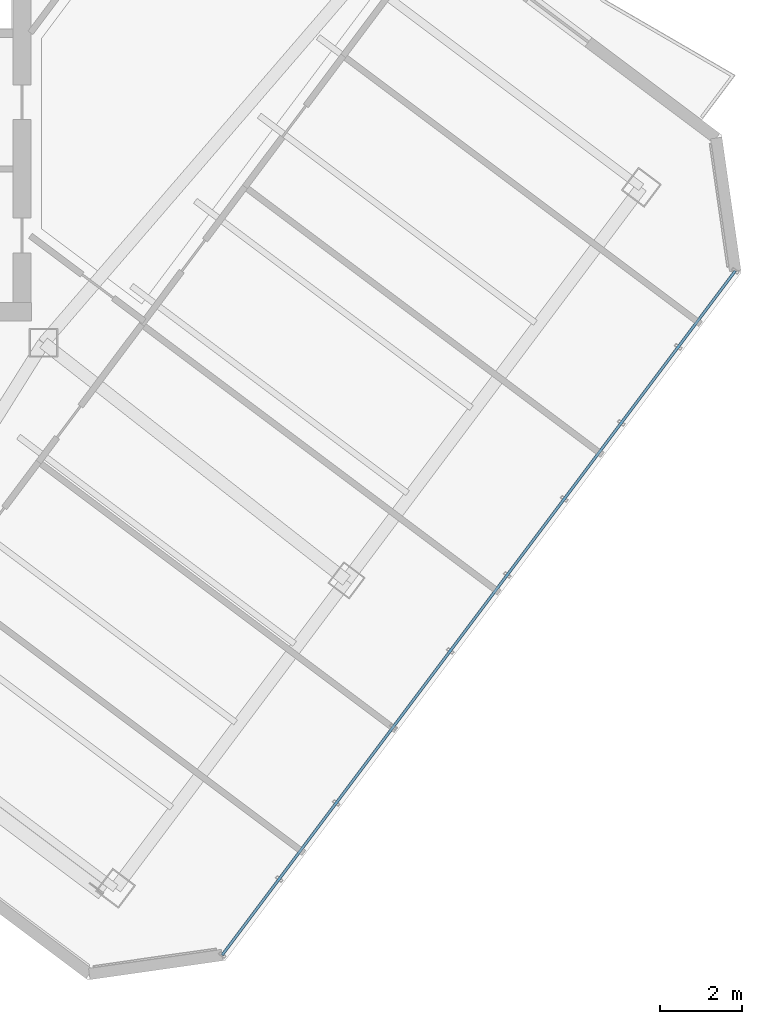
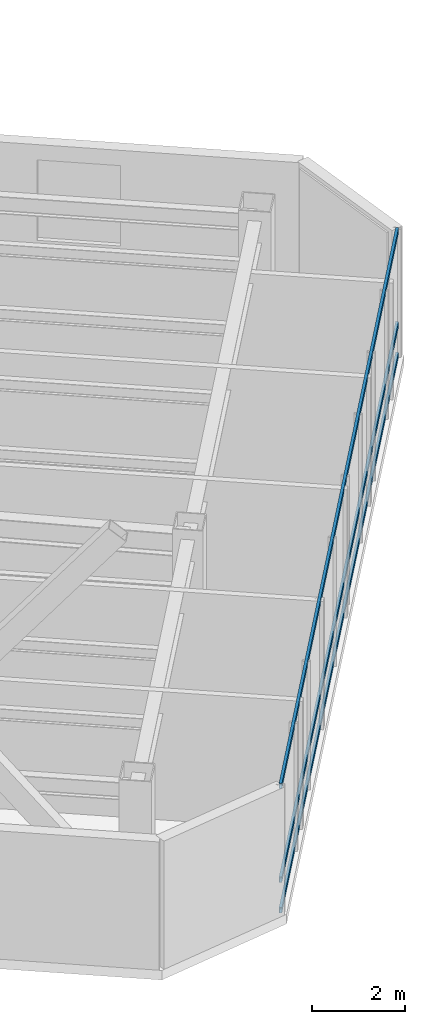
# One storey, part 12 of 25: 3 members, 1 element without a shape of its own.
"""IFC4 building model written with IfcOpenShell, lengths in metres."""

from ifc_helpers import new_model, si_unit, direction, frame, origin, origin_2d, place, context, subcontext, project, spatial, hollow_rectangle, extrude, material, layer, layer_set, material_profile, profile_set, type_object, element, aggregate, save


model = new_model("IFC4")

# Units and contexts
model_context = context("Model", 3, precision=1e-05, world=origin(), true_north=direction((0.0, 1.0)))
body_context = subcontext(model_context, "Body", "Model", "MODEL_VIEW")
ifc_project = project(units=[si_unit("LENGTHUNIT", "METRE"), si_unit("AREAUNIT", "SQUARE_METRE"), si_unit("VOLUMEUNIT", "CUBIC_METRE"), si_unit("PLANEANGLEUNIT", "RADIAN"), si_unit("MASSUNIT", "GRAM", prefix="KILO")], contexts=[model_context])

# Site, building, storey
site_placement = place(None, origin())
site = spatial("IfcSite", under=ifc_project, at=site_placement, CompositionType="ELEMENT")
building_placement = place(site_placement, origin())
building = spatial("IfcBuilding", under=site, at=building_placement, Name="Hatsunagi Terrace Concourse", CompositionType="ELEMENT")
storey_placement = place(building_placement, frame((0.0, 0.0, 223.949951171875)))
storey = spatial("IfcBuildingStorey", under=building, at=storey_placement, Name="L59", CompositionType="ELEMENT", Elevation=223.949951171875)

# Curtain wall, members
ifc_material_1 = material(Name="Anodised Aluminium Alloy 6063-T5", Category="aluminium")
ifc_layer = layer(ifc_material_1, 0.199951171875)
ifc_layer_set = layer_set([ifc_layer], Name="OfficeZone2_CW04")
curtain_wall_type = type_object("IfcCurtainWallType", Name="OfficeZone2_CW04", PredefinedType="NOTDEFINED", material=ifc_layer_set)
curtain_wall_placement = place(storey_placement, origin())
curtain_wall = element("IfcCurtainWall", 1, at=curtain_wall_placement, inside=storey, type_object=curtain_wall_type, Name="Unitised Curtain Wall CW-04 CW-L59-03", PredefinedType="NOTDEFINED")
ifc_material_2 = material(Name="Anodised Aluminium Alloy 6063-T5", Category="aluminium")
ifc_material_profile = material_profile(ifc_material_2, hollow_rectangle(XDim=0.06494140625, YDim=0.139892578125, WallThickness=0.00390625, at=origin_2d()), Name="ALU-TRN-140x65x4")
ifc_profile_set = profile_set([ifc_material_profile], Name="Anodised Aluminium Alloy 6063-T5")
member_type = type_object("IfcMemberType", Name="CurtainWallTransom_140x65", PredefinedType="USERDEFINED", material=ifc_profile_set)
member_1_placement = place(storey_placement, frame((60.693115234375, 25.9580078125, 0.050048828125), z_axis=(-0.599970072971, -0.800022444397, 0.0), x_axis=(0.800022444397, -0.599970072971, 0.0)))
member_1 = element("IfcMember", 2, at=member_1_placement, type_object=member_type, Name="Curtain Wall Transom TRN-02", ObjectType="TRANSOM", PredefinedType="USERDEFINED", context=body_context, shape_type="SweptSolid", body=[
    extrude(hollow_rectangle(XDim=0.06494140625, YDim=0.139892578125, WallThickness=0.00390625, at=origin_2d()), origin(), (0.0, 0.0, 1.0), 20.884521484375),
])
member_2_placement = place(storey_placement, frame((60.693115234375, 25.9580078125, 0.85009765625), z_axis=(-0.599970072971, -0.800022444397, 0.0), x_axis=(0.800022444397, -0.599970072971, 0.0)))
member_2 = element("IfcMember", 3, at=member_2_placement, type_object=member_type, Name="Curtain Wall Transom TRN-02", ObjectType="TRANSOM", PredefinedType="USERDEFINED", context=body_context, shape_type="SweptSolid", body=[
    extrude(hollow_rectangle(XDim=0.06494140625, YDim=0.139892578125, WallThickness=0.00390625, at=origin_2d()), origin(), (0.0, 0.0, 1.0), 20.884521484375),
])
member_3_placement = place(storey_placement, frame((60.693115234375, 25.9580078125, 3.300048828125), z_axis=(-0.599970072971, -0.800022444397, 0.0), x_axis=(0.800022444397, -0.599970072971, 0.0)))
member_3 = element("IfcMember", 4, at=member_3_placement, type_object=member_type, Name="Curtain Wall Transom TRN-02", ObjectType="TRANSOM", PredefinedType="USERDEFINED", context=body_context, shape_type="SweptSolid", body=[
    extrude(hollow_rectangle(XDim=0.06494140625, YDim=0.139892578125, WallThickness=0.00390625, at=origin_2d()), origin(), (0.0, 0.0, 1.0), 20.884521484375),
])
aggregate(curtain_wall, [member_1, member_2, member_3])

save(model, "model.ifc")
